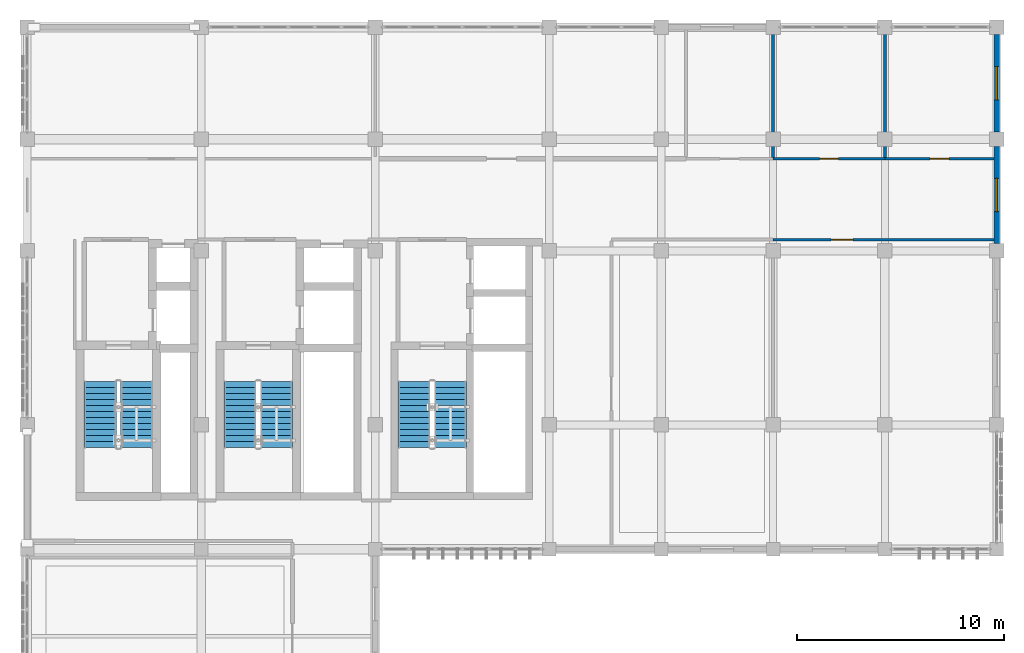
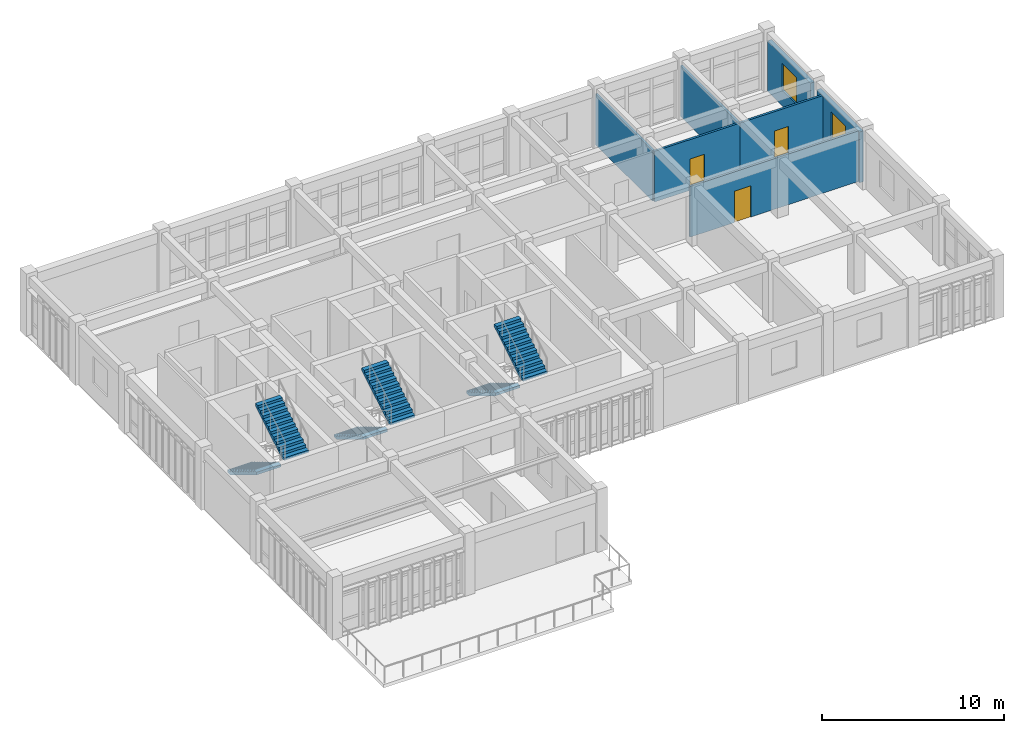
# One storey, part 21 of 23: 7 walls, 6 stair flights, 3 doors, 2 windows, 5 openings, 3 elements without a shape of their own.
"""IFC4 building model written with IfcOpenShell, lengths in metres."""

from ifc_helpers import new_model, si_unit, direction, frame, frame_2d, origin, place, context, subcontext, project, spatial, polyline, rectangle, outline, extrude, material, layer, layer_set, type_object, element, fill, aggregate, save


model = new_model("IFC4")

# Units and contexts
model_context = context("Model", 3, precision=1e-05, world=origin(), true_north=direction((0.0, 1.0)))
body_context = subcontext(model_context, "Body", "Model", "MODEL_VIEW")
ifc_project = project(units=[si_unit("LENGTHUNIT", "METRE"), si_unit("AREAUNIT", "SQUARE_METRE"), si_unit("VOLUMEUNIT", "CUBIC_METRE"), si_unit("PLANEANGLEUNIT", "RADIAN"), si_unit("MASSUNIT", "GRAM", prefix="KILO")], contexts=[model_context])

# Site, building, storey
site_placement = place(None, origin())
site = spatial("IfcSite", under=ifc_project, at=site_placement, CompositionType="ELEMENT")
building_placement = place(site_placement, origin())
building = spatial("IfcBuilding", under=site, at=building_placement, Name="Krzemoval Escarpment Law Courts", CompositionType="ELEMENT")
storey_placement = place(building_placement, frame((0.0, 0.0, 25.199951171875)))
storey = spatial("IfcBuildingStorey", under=building, at=storey_placement, Name="L05", CompositionType="ELEMENT", Elevation=25.199951171875)

# Wall, opening, window
ifc_material_1 = material(Name="Precast concrete C40/50", Category="concrete")
ifc_layer_1 = layer(ifc_material_1, 0.260009765625)
ifc_layer_set_1 = layer_set([ifc_layer_1], Name="Precast concrete C40/50")
wall_type_1 = type_object("IfcWallType", Name="WL-EXT-260", PredefinedType="SOLIDWALL", material=ifc_layer_set_1)
wall_1_placement = place(storey_placement, frame((172.800048828125, 118.449951171875, 0.0), z_axis=(0.0, 0.0, 1.0), x_axis=(0.0, -1.0, 0.0)))
wall_1 = element("IfcWall", 1, at=wall_1_placement, inside=storey, type_object=wall_type_1, Name="Exterior Wall EW-L05-0434", PredefinedType="SOLIDWALL", context=body_context, shape_type="SweptSolid", body=[
    extrude(rectangle(XDim=4.699951171875, YDim=0.260009765625, at=frame_2d((2.35009765625, 0.0))), origin(), (0.0, 0.0, 1.0), 3.400146484375),
])
opening_1_placement = place(wall_1_placement, frame((1.550048828125, 0.0, 1.050048828125)))
opening_1 = element("IfcOpeningElement", 2, at=opening_1_placement, cuts=wall_1, Name="Opening WN-L05-0518", PredefinedType="OPENING", context=body_context, shape_type="SweptSolid", body=[
    extrude(rectangle(XDim=1.60009765625, YDim=1.800048828125, at=frame_2d((0.800048828125, 0.89990234375))), frame((0.0, 0.145, 0.0), z_axis=(0.0, -1.0, 0.0), x_axis=(1.0, 0.0, 0.0)), (0.0, 0.0, 1.0), 0.29001),
])
ifc_material_2 = material(Name="Thermally Broken Aluminium Frame with Triple Low-E Acoustic Glass", Category="aluminium")
window_type = type_object("IfcWindowType", Name="WN-1600x1800", PartitioningType="SINGLE_PANEL", PredefinedType="WINDOW", material=ifc_material_2)
window_1_placement = place(opening_1_placement, origin())
window_1 = element("IfcWindow", 3, at=window_1_placement, inside=storey, type_object=window_type, Name="Facade Window WN-L05-0518", OverallHeight=1.800048828125, OverallWidth=1.60009765625, PartitioningType="SINGLE_PANEL", PredefinedType="WINDOW", context=body_context, shape_type="SweptSolid", body=[
    extrude(rectangle(XDim=1.60009765625, YDim=1.800048828125, at=frame_2d((0.800048828125, 0.89990234375))), frame((0.0, 0.030029296875, 0.0), z_axis=(0.0, -1.0, 0.0), x_axis=(1.0, 0.0, 0.0)), (0.0, 0.0, 1.0), 0.06005859375),
])
fill(opening_1, window_1)

wall_2_placement = place(storey_placement, frame((172.800048828125, 113.050048828125, 0.0), z_axis=(0.0, 0.0, 1.0), x_axis=(0.0, -1.0, 0.0)))
wall_2 = element("IfcWall", 4, at=wall_2_placement, inside=storey, type_object=wall_type_1, Name="Exterior Wall EW-L05-0435", PredefinedType="SOLIDWALL", context=body_context, shape_type="SweptSolid", body=[
    extrude(rectangle(XDim=4.699951171875, YDim=0.260009765625, at=frame_2d((2.35009765625, 0.0))), origin(), (0.0, 0.0, 1.0), 3.400146484375),
])
opening_2_placement = place(wall_2_placement, frame((1.550048828125, 0.0, 1.050048828125)))
opening_2 = element("IfcOpeningElement", 5, at=opening_2_placement, cuts=wall_2, Name="Opening WN-L05-0519", PredefinedType="OPENING", context=body_context, shape_type="SweptSolid", body=[
    extrude(rectangle(XDim=1.60009765625, YDim=1.800048828125, at=frame_2d((0.800048828125, 0.89990234375))), frame((0.0, 0.145, 0.0), z_axis=(0.0, -1.0, 0.0), x_axis=(1.0, 0.0, 0.0)), (0.0, 0.0, 1.0), 0.29001),
])
window_2_placement = place(opening_2_placement, origin())
window_2 = element("IfcWindow", 6, at=window_2_placement, inside=storey, type_object=window_type, Name="Facade Window WN-L05-0519", OverallHeight=1.800048828125, OverallWidth=1.60009765625, PartitioningType="SINGLE_PANEL", PredefinedType="WINDOW", context=body_context, shape_type="SweptSolid", body=[
    extrude(rectangle(XDim=1.60009765625, YDim=1.800048828125, at=frame_2d((0.800048828125, 0.89990234375))), frame((0.0, 0.030029296875, 0.0), z_axis=(0.0, -1.0, 0.0), x_axis=(1.0, 0.0, 0.0)), (0.0, 0.0, 1.0), 0.06005859375),
])
fill(opening_2, window_2)

# Wall, opening, door
ifc_material_3 = material(Name="Standard Metal-Stud Gypsum Partition", Category="gypsum")
ifc_layer_2 = layer(ifc_material_3, 0.125)
ifc_layer_set_2 = layer_set([ifc_layer_2], Name="Standard Metal-Stud Gypsum Partition")
wall_type_2 = type_object("IfcWallType", Name="WL-PRT-125", PredefinedType="PARTITIONING", material=ifc_layer_set_2)
wall_3_placement = place(storey_placement, frame((162.0, 108.550048828125, 0.0), z_axis=(0.0, 0.0, 1.0), x_axis=(1.0, 0.0, 0.0)))
wall_3 = element("IfcWall", 7, at=wall_3_placement, inside=storey, type_object=wall_type_2, Name="Interior Partition PW-L05-0650", PredefinedType="PARTITIONING", context=body_context, shape_type="SweptSolid", body=[
    extrude(rectangle(XDim=10.66796875, YDim=0.125, at=frame_2d((5.333984375, 0.0))), origin(), (0.0, 0.0, 1.0), 3.400146484375),
])
opening_3_placement = place(wall_3_placement, frame((2.80908203125, 0.0, 0.0)))
opening_3 = element("IfcOpeningElement", 8, at=opening_3_placement, cuts=wall_3, Name="Opening D-L05-0228", PredefinedType="OPENING", context=body_context, shape_type="SweptSolid", body=[
    extrude(rectangle(XDim=1.050048828125, YDim=2.10009765625, at=frame_2d((0.52490234375, 1.050048828125))), frame((0.0, 0.0775, 0.0), z_axis=(0.0, -1.0, 0.0), x_axis=(1.0, 0.0, 0.0)), (0.0, 0.0, 1.0), 0.155),
])
ifc_material_4 = material(Name="Engineered Solid-Core Oak Acoustic Timber", Category="wood")
door_type_1 = type_object("IfcDoorType", Name="DR-INT-1050x2100", OperationType="SINGLE_SWING_LEFT", PredefinedType="DOOR", material=ifc_material_4)
door_1_placement = place(opening_3_placement, origin())
door_1 = element("IfcDoor", 9, at=door_1_placement, inside=storey, type_object=door_type_1, Name="Room Door D-L05-0228", OperationType="SINGLE_SWING_LEFT", OverallHeight=2.10009765625, OverallWidth=1.050048828125, PredefinedType="DOOR", context=body_context, shape_type="SweptSolid", body=[
    extrude(rectangle(XDim=1.050048828125, YDim=2.10009765625, at=frame_2d((0.52490234375, 1.050048828125))), frame((0.0, 0.02490234375, 0.0), z_axis=(0.0, -1.0, 0.0), x_axis=(1.0, 0.0, 0.0)), (0.0, 0.0, 1.0), 0.050048828125),
])
fill(opening_3, door_1)

ifc_material_5 = material(Name="Sanitary Moisture-Resistant Partition", Category="gypsum")
ifc_layer_3 = layer(ifc_material_5, 0.139892578125)
ifc_layer_set_3 = layer_set([ifc_layer_3], Name="Sanitary Moisture-Resistant Partition")
wall_type_3 = type_object("IfcWallType", Name="WL-PRT-140", PredefinedType="PARTITIONING", material=ifc_layer_set_3)
wall_4_placement = place(storey_placement, frame((162.0, 112.449951171875, 0.0), z_axis=(0.0, 0.0, 1.0), x_axis=(1.0, 0.0, 0.0)))
wall_4 = element("IfcWall", 10, at=wall_4_placement, inside=storey, type_object=wall_type_3, Name="Interior Partition PW-L05-0654", PredefinedType="PARTITIONING", context=body_context, shape_type="SweptSolid", body=[
    extrude(rectangle(XDim=5.39990234375, YDim=0.139892578125, at=frame_2d((2.699951171875, 0.0))), origin(), (0.0, 0.0, 1.0), 3.400146484375),
])
opening_4_placement = place(wall_4_placement, frame((2.25, 0.0, 0.0)))
opening_4 = element("IfcOpeningElement", 11, at=opening_4_placement, cuts=wall_4, Name="Opening D-L05-0225", PredefinedType="OPENING", context=body_context, shape_type="SweptSolid", body=[
    extrude(rectangle(XDim=0.89990234375, YDim=2.10009765625, at=frame_2d((0.449951171875, 1.050048828125))), frame((0.0, 0.08495, 0.0), z_axis=(0.0, -1.0, 0.0), x_axis=(1.0, 0.0, 0.0)), (0.0, 0.0, 1.0), 0.16989),
])
ifc_material_6 = material(Name="Engineered Solid-Core Oak Acoustic Timber", Category="wood")
door_type_2 = type_object("IfcDoorType", Name="DR-INT-900x2100", OperationType="SINGLE_SWING_LEFT", PredefinedType="DOOR", material=ifc_material_6)
door_2_placement = place(opening_4_placement, origin())
door_2 = element("IfcDoor", 12, at=door_2_placement, inside=storey, type_object=door_type_2, Name="Room Door D-L05-0225", OperationType="SINGLE_SWING_LEFT", OverallHeight=2.10009765625, OverallWidth=0.89990234375, PredefinedType="DOOR", context=body_context, shape_type="SweptSolid", body=[
    extrude(rectangle(XDim=0.89990234375, YDim=2.10009765625, at=frame_2d((0.449951171875, 1.050048828125))), frame((0.0, 0.02490234375, 0.0), z_axis=(0.0, -1.0, 0.0), x_axis=(1.0, 0.0, 0.0)), (0.0, 0.0, 1.0), 0.050048828125),
])
fill(opening_4, door_2)

wall_5_placement = place(storey_placement, frame((167.39990234375, 112.449951171875, 0.0), z_axis=(0.0, 0.0, 1.0), x_axis=(1.0, 0.0, 0.0)))
wall_5 = element("IfcWall", 13, at=wall_5_placement, inside=storey, type_object=wall_type_3, Name="Interior Partition PW-L05-0655", PredefinedType="PARTITIONING", context=body_context, shape_type="SweptSolid", body=[
    extrude(rectangle(XDim=5.26806640625, YDim=0.139892578125, at=frame_2d((2.634033203125, 0.0))), origin(), (0.0, 0.0, 1.0), 3.400146484375),
])
opening_5_placement = place(wall_5_placement, frame((2.18408203125, 0.0, 0.0)))
opening_5 = element("IfcOpeningElement", 14, at=opening_5_placement, cuts=wall_5, Name="Opening D-L05-0226", PredefinedType="OPENING", context=body_context, shape_type="SweptSolid", body=[
    extrude(rectangle(XDim=0.89990234375, YDim=2.10009765625, at=frame_2d((0.449951171875, 1.050048828125))), frame((0.0, 0.08495, 0.0), z_axis=(0.0, -1.0, 0.0), x_axis=(1.0, 0.0, 0.0)), (0.0, 0.0, 1.0), 0.16989),
])
door_3_placement = place(opening_5_placement, origin())
door_3 = element("IfcDoor", 15, at=door_3_placement, inside=storey, type_object=door_type_2, Name="Room Door D-L05-0226", OperationType="SINGLE_SWING_RIGHT", OverallHeight=2.10009765625, OverallWidth=0.89990234375, PredefinedType="DOOR", context=body_context, shape_type="SweptSolid", body=[
    extrude(rectangle(XDim=0.89990234375, YDim=2.10009765625, at=frame_2d((0.449951171875, 1.050048828125))), frame((0.0, 0.02490234375, 0.0), z_axis=(0.0, -1.0, 0.0), x_axis=(1.0, 0.0, 0.0)), (0.0, 0.0, 1.0), 0.050048828125),
])
fill(opening_5, door_3)

# Walls
wall_6_placement = place(storey_placement, frame((162.0, 112.52197265625, 0.0), z_axis=(0.0, 0.0, 1.0), x_axis=(0.0, 1.0, 0.0)))
element("IfcWall", 16, at=wall_6_placement, inside=storey, type_object=wall_type_3, Name="Interior Partition PW-L05-0665", PredefinedType="PARTITIONING", context=body_context, shape_type="SweptSolid", body=[
    extrude(rectangle(XDim=6.262939453125, YDim=0.139892578125, at=frame_2d((3.13134765625, 0.0))), origin(), (0.0, 0.0, 1.0), 3.400146484375),
])
wall_7_placement = place(storey_placement, frame((167.39990234375, 112.52197265625, 0.0), z_axis=(0.0, 0.0, 1.0), x_axis=(0.0, 1.0, 0.0)))
element("IfcWall", 17, at=wall_7_placement, inside=storey, type_object=wall_type_3, Name="Interior Partition PW-L05-0667", PredefinedType="PARTITIONING", context=body_context, shape_type="SweptSolid", body=[
    extrude(rectangle(XDim=6.282958984375, YDim=0.139892578125, at=frame_2d((3.1416015625, 0.0))), origin(), (0.0, 0.0, 1.0), 3.400146484375),
])

# Stair, stair flights
ifc_material_7 = material(Name="Concrete C40/50", Category="concrete")
stair_type = type_object("IfcStairType", Name="STR-CORE-1550", PredefinedType="HALF_TURN_STAIR", material=ifc_material_7)
stair_1_placement = place(storey_placement, origin())
stair_1 = element("IfcStair", 18, at=stair_1_placement, inside=storey, type_object=stair_type, Name="L05 ST1", PredefinedType="HALF_TURN_STAIR")
ifc_material_8 = material(Name="Concrete C40/50", Category="concrete")
stair_flight_type = type_object("IfcStairFlightType", Name="STF-CORE-1550", PredefinedType="STRAIGHT", material=ifc_material_8)
stair_flight_1_placement = place(storey_placement, frame((129.52490234375, 101.699951171875, 0.0), z_axis=(0.0, 0.0, 1.0), x_axis=(0.0, -1.0, 0.0)))
stair_flight_1 = element("IfcStairFlight", 19, at=stair_flight_1_placement, type_object=stair_flight_type, Name="ST1 flight 1", NumberOfRisers=12, NumberOfTreads=11, PredefinedType="STRAIGHT", RiserHeight=0.175, TreadLength=0.29, context=body_context, shape_type="SweptSolid", body=[
    extrude(outline(polyline([(0.0, 0.0), (0.0, 0.175048828125), (0.2900390625, 0.175048828125), (0.2900390625, 0.35009765625), (0.580078125, 0.35009765625), (0.580078125, 0.52490234375), (0.8701171875, 0.52490234375), (0.8701171875, 0.699951171875), (1.159912109375, 0.699951171875), (1.159912109375, 0.875), (1.449951171875, 0.875), (1.449951171875, 1.050048828125), (1.739990234375, 1.050048828125), (1.739990234375, 1.22509765625), (2.030029296875, 1.22509765625), (2.030029296875, 1.39990234375), (2.320068359375, 1.39990234375), (2.320068359375, 1.574951171875), (2.610107421875, 1.574951171875), (2.610107421875, 1.75), (2.89990234375, 1.75), (2.89990234375, 1.925048828125), (3.18994140625, 1.925048828125), (3.18994140625, 2.10009765625), (3.18994140625, 1.75), (0.2900390625, 0.0), (0.0, 0.0)])), frame((0.0, 0.77490234375, 0.0), z_axis=(0.0, -1.0, 0.0), x_axis=(1.0, 0.0, 0.0)), (0.0, 0.0, 1.0), 1.550048828125),
])
stair_flight_2_placement = place(storey_placement, frame((131.27490234375, 98.510009765625, 2.10009765625), z_axis=(0.0, 0.0, 1.0), x_axis=(0.0, 1.0, 0.0)))
stair_flight_2 = element("IfcStairFlight", 20, at=stair_flight_2_placement, type_object=stair_flight_type, Name="ST1 flight 2", NumberOfRisers=12, NumberOfTreads=11, PredefinedType="STRAIGHT", RiserHeight=0.175, TreadLength=0.29, context=body_context, shape_type="SweptSolid", body=[
    extrude(outline(polyline([(0.0, 0.0), (0.0, 0.175048828125), (0.2900390625, 0.175048828125), (0.2900390625, 0.35009765625), (0.580078125, 0.35009765625), (0.580078125, 0.52490234375), (0.8701171875, 0.52490234375), (0.8701171875, 0.699951171875), (1.159912109375, 0.699951171875), (1.159912109375, 0.875), (1.449951171875, 0.875), (1.449951171875, 1.050048828125), (1.739990234375, 1.050048828125), (1.739990234375, 1.22509765625), (2.030029296875, 1.22509765625), (2.030029296875, 1.39990234375), (2.320068359375, 1.39990234375), (2.320068359375, 1.574951171875), (2.610107421875, 1.574951171875), (2.610107421875, 1.75), (2.89990234375, 1.75), (2.89990234375, 1.925048828125), (3.18994140625, 1.925048828125), (3.18994140625, 2.10009765625), (3.18994140625, 1.75), (0.2900390625, 0.0), (0.0, 0.0)])), frame((0.0, 0.77490234375, 0.0), z_axis=(0.0, -1.0, 0.0), x_axis=(1.0, 0.0, 0.0)), (0.0, 0.0, 1.0), 1.550048828125),
])
aggregate(stair_1, [stair_flight_1, stair_flight_2])

stair_2_placement = place(storey_placement, origin())
stair_2 = element("IfcStair", 21, at=stair_2_placement, inside=storey, type_object=stair_type, Name="L05 ST2", PredefinedType="HALF_TURN_STAIR")
stair_flight_3_placement = place(storey_placement, frame((136.27490234375, 101.699951171875, 0.0), z_axis=(0.0, 0.0, 1.0), x_axis=(0.0, -1.0, 0.0)))
stair_flight_3 = element("IfcStairFlight", 22, at=stair_flight_3_placement, type_object=stair_flight_type, Name="ST2 flight 1", NumberOfRisers=12, NumberOfTreads=11, PredefinedType="STRAIGHT", RiserHeight=0.175, TreadLength=0.29, context=body_context, shape_type="SweptSolid", body=[
    extrude(outline(polyline([(0.0, 0.0), (0.0, 0.175048828125), (0.2900390625, 0.175048828125), (0.2900390625, 0.35009765625), (0.580078125, 0.35009765625), (0.580078125, 0.52490234375), (0.8701171875, 0.52490234375), (0.8701171875, 0.699951171875), (1.159912109375, 0.699951171875), (1.159912109375, 0.875), (1.449951171875, 0.875), (1.449951171875, 1.050048828125), (1.739990234375, 1.050048828125), (1.739990234375, 1.22509765625), (2.030029296875, 1.22509765625), (2.030029296875, 1.39990234375), (2.320068359375, 1.39990234375), (2.320068359375, 1.574951171875), (2.610107421875, 1.574951171875), (2.610107421875, 1.75), (2.89990234375, 1.75), (2.89990234375, 1.925048828125), (3.18994140625, 1.925048828125), (3.18994140625, 2.10009765625), (3.18994140625, 1.75), (0.2900390625, 0.0), (0.0, 0.0)])), frame((0.0, 0.77490234375, 0.0), z_axis=(0.0, -1.0, 0.0), x_axis=(1.0, 0.0, 0.0)), (0.0, 0.0, 1.0), 1.550048828125),
])
stair_flight_4_placement = place(storey_placement, frame((138.02490234375, 98.510009765625, 2.10009765625), z_axis=(0.0, 0.0, 1.0), x_axis=(0.0, 1.0, 0.0)))
stair_flight_4 = element("IfcStairFlight", 23, at=stair_flight_4_placement, type_object=stair_flight_type, Name="ST2 flight 2", NumberOfRisers=12, NumberOfTreads=11, PredefinedType="STRAIGHT", RiserHeight=0.175, TreadLength=0.29, context=body_context, shape_type="SweptSolid", body=[
    extrude(outline(polyline([(0.0, 0.0), (0.0, 0.175048828125), (0.2900390625, 0.175048828125), (0.2900390625, 0.35009765625), (0.580078125, 0.35009765625), (0.580078125, 0.52490234375), (0.8701171875, 0.52490234375), (0.8701171875, 0.699951171875), (1.159912109375, 0.699951171875), (1.159912109375, 0.875), (1.449951171875, 0.875), (1.449951171875, 1.050048828125), (1.739990234375, 1.050048828125), (1.739990234375, 1.22509765625), (2.030029296875, 1.22509765625), (2.030029296875, 1.39990234375), (2.320068359375, 1.39990234375), (2.320068359375, 1.574951171875), (2.610107421875, 1.574951171875), (2.610107421875, 1.75), (2.89990234375, 1.75), (2.89990234375, 1.925048828125), (3.18994140625, 1.925048828125), (3.18994140625, 2.10009765625), (3.18994140625, 1.75), (0.2900390625, 0.0), (0.0, 0.0)])), frame((0.0, 0.77490234375, 0.0), z_axis=(0.0, -1.0, 0.0), x_axis=(1.0, 0.0, 0.0)), (0.0, 0.0, 1.0), 1.550048828125),
])
aggregate(stair_2, [stair_flight_3, stair_flight_4])

stair_3_placement = place(storey_placement, origin())
stair_3 = element("IfcStair", 24, at=stair_3_placement, inside=storey, type_object=stair_type, Name="L05 ST3", PredefinedType="HALF_TURN_STAIR")
stair_flight_5_placement = place(storey_placement, frame((144.675048828125, 101.699951171875, 0.0), z_axis=(0.0, 0.0, 1.0), x_axis=(0.0, -1.0, 0.0)))
stair_flight_5 = element("IfcStairFlight", 25, at=stair_flight_5_placement, type_object=stair_flight_type, Name="ST3 flight 1", NumberOfRisers=12, NumberOfTreads=11, PredefinedType="STRAIGHT", RiserHeight=0.175, TreadLength=0.29, context=body_context, shape_type="SweptSolid", body=[
    extrude(outline(polyline([(0.0, 0.0), (0.0, 0.175048828125), (0.2900390625, 0.175048828125), (0.2900390625, 0.35009765625), (0.580078125, 0.35009765625), (0.580078125, 0.52490234375), (0.8701171875, 0.52490234375), (0.8701171875, 0.699951171875), (1.159912109375, 0.699951171875), (1.159912109375, 0.875), (1.449951171875, 0.875), (1.449951171875, 1.050048828125), (1.739990234375, 1.050048828125), (1.739990234375, 1.22509765625), (2.030029296875, 1.22509765625), (2.030029296875, 1.39990234375), (2.320068359375, 1.39990234375), (2.320068359375, 1.574951171875), (2.610107421875, 1.574951171875), (2.610107421875, 1.75), (2.89990234375, 1.75), (2.89990234375, 1.925048828125), (3.18994140625, 1.925048828125), (3.18994140625, 2.10009765625), (3.18994140625, 1.75), (0.2900390625, 0.0), (0.0, 0.0)])), frame((0.0, 0.77490234375, 0.0), z_axis=(0.0, -1.0, 0.0), x_axis=(1.0, 0.0, 0.0)), (0.0, 0.0, 1.0), 1.550048828125),
])
stair_flight_6_placement = place(storey_placement, frame((146.425048828125, 98.510009765625, 2.10009765625), z_axis=(0.0, 0.0, 1.0), x_axis=(0.0, 1.0, 0.0)))
stair_flight_6 = element("IfcStairFlight", 26, at=stair_flight_6_placement, type_object=stair_flight_type, Name="ST3 flight 2", NumberOfRisers=12, NumberOfTreads=11, PredefinedType="STRAIGHT", RiserHeight=0.175, TreadLength=0.29, context=body_context, shape_type="SweptSolid", body=[
    extrude(outline(polyline([(0.0, 0.0), (0.0, 0.175048828125), (0.2900390625, 0.175048828125), (0.2900390625, 0.35009765625), (0.580078125, 0.35009765625), (0.580078125, 0.52490234375), (0.8701171875, 0.52490234375), (0.8701171875, 0.699951171875), (1.159912109375, 0.699951171875), (1.159912109375, 0.875), (1.449951171875, 0.875), (1.449951171875, 1.050048828125), (1.739990234375, 1.050048828125), (1.739990234375, 1.22509765625), (2.030029296875, 1.22509765625), (2.030029296875, 1.39990234375), (2.320068359375, 1.39990234375), (2.320068359375, 1.574951171875), (2.610107421875, 1.574951171875), (2.610107421875, 1.75), (2.89990234375, 1.75), (2.89990234375, 1.925048828125), (3.18994140625, 1.925048828125), (3.18994140625, 2.10009765625), (3.18994140625, 1.75), (0.2900390625, 0.0), (0.0, 0.0)])), frame((0.0, 0.77490234375, 0.0), z_axis=(0.0, -1.0, 0.0), x_axis=(1.0, 0.0, 0.0)), (0.0, 0.0, 1.0), 1.550048828125),
])
aggregate(stair_3, [stair_flight_5, stair_flight_6])

save(model, "model.ifc")
